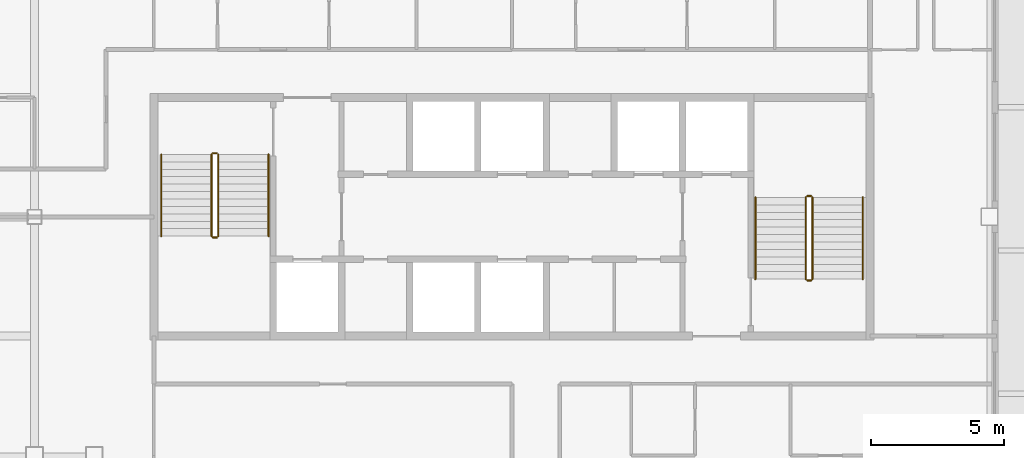
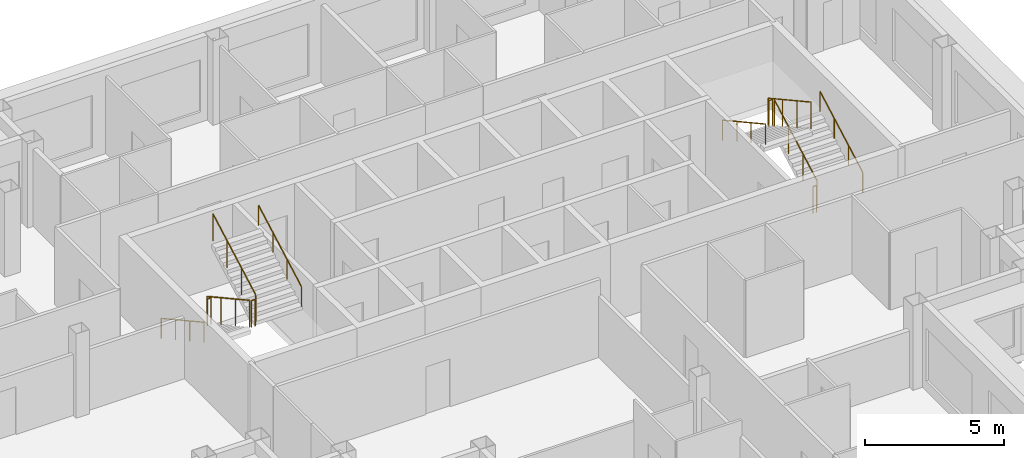
# One storey, part 12 of 12: 12 railings.
"""IFC4 building model written with IfcOpenShell, lengths in metres."""

from ifc_helpers import new_model, si_unit, direction, frame, origin, origin_2d, place, context, subcontext, project, spatial, circle, extrude, material, type_object, element, save


model = new_model("IFC4")

# Units and contexts
model_context = context("Model", 3, precision=1e-05, world=origin(), true_north=direction((0.0, 1.0)))
body_context = subcontext(model_context, "Body", "Model", "MODEL_VIEW")
ifc_project = project(units=[si_unit("LENGTHUNIT", "METRE"), si_unit("AREAUNIT", "SQUARE_METRE"), si_unit("VOLUMEUNIT", "CUBIC_METRE"), si_unit("PLANEANGLEUNIT", "RADIAN"), si_unit("MASSUNIT", "GRAM", prefix="KILO")], contexts=[model_context])

# Site, building, storey
site_placement = place(None, origin())
site = spatial("IfcSite", under=ifc_project, at=site_placement, CompositionType="ELEMENT")
building_placement = place(site_placement, origin())
building = spatial("IfcBuilding", under=site, at=building_placement, Name="Caravel Reach Hotel and Residences", CompositionType="ELEMENT")
storey_placement = place(building_placement, frame((0.0, 0.0, 218.300048828125)))
storey = spatial("IfcBuildingStorey", under=building, at=storey_placement, Name="L55", CompositionType="ELEMENT", Elevation=218.300048828125)

# Railings
ifc_material_1 = material(Name="Steel balustrade with glass infill", Category="steel")
railing_type_1 = type_object("IfcRailingType", Name="Guard 1200", PredefinedType="GUARDRAIL", material=ifc_material_1)
railing_1_placement = place(storey_placement, frame((20.175048828125, 29.35009765625, 0.154052734375)))
element("IfcRailing", 1, at=railing_1_placement, inside=storey, type_object=railing_type_1, Name="L55 ST-A stair guard 1", PredefinedType="GUARDRAIL", context=body_context, shape_type="SweptSolid", body=[
    extrude(circle(Radius=0.02392578125, at=origin_2d()), frame((0.0, 0.0, 1.17578125), z_axis=(0.0, -0.876004717809, 0.482302534076), x_axis=(1.0, 0.0, 0.0)), (0.0, 0.0, 1.0), 3.51611328125),
    extrude(circle(Radius=0.02099609375, at=origin_2d()), origin(), (0.0, 0.0, 1.0), 1.15185546875),
    extrude(circle(Radius=0.02099609375, at=origin_2d()), frame((0.0, -1.026611328125, 0.565185546875)), (0.0, 0.0, 1.0), 1.15185546875),
    extrude(circle(Radius=0.02099609375, at=origin_2d()), frame((0.0, -2.053466796875, 1.130615234375)), (0.0, 0.0, 1.0), 1.15185546875),
    extrude(circle(Radius=0.02099609375, at=origin_2d()), frame((0.0, -3.080078125, 1.69580078125)), (0.0, 0.0, 1.0), 1.15185546875),
])
railing_2_placement = place(storey_placement, frame((20.22509765625, 26.219970703125, 1.849853515625)))
element("IfcRailing", 2, at=railing_2_placement, inside=storey, type_object=railing_type_1, Name="L55 ST-A stair guard 2", PredefinedType="GUARDRAIL", context=body_context, shape_type="SweptSolid", body=[
    extrude(circle(Radius=0.02392578125, at=origin_2d()), frame((0.0, 0.0, 1.17578125), z_axis=(1.0, 0.0, 0.0), x_axis=(0.0, 1.0, 0.0)), (0.0, 0.0, 1.0), 0.14990234375),
    extrude(circle(Radius=0.02099609375, at=origin_2d()), origin(), (0.0, 0.0, 1.0), 1.15185546875),
    extrude(circle(Radius=0.02099609375, at=origin_2d()), frame((0.14990234375, 0.0, 0.0)), (0.0, 0.0, 1.0), 1.15185546875),
])
railing_3_placement = place(storey_placement, frame((20.425048828125, 26.27001953125, 2.004150390625)))
element("IfcRailing", 3, at=railing_3_placement, inside=storey, type_object=railing_type_1, Name="L55 ST-A stair guard 3", PredefinedType="GUARDRAIL", context=body_context, shape_type="SweptSolid", body=[
    extrude(circle(Radius=0.02392578125, at=origin_2d()), frame((0.0, 0.0, 1.17578125), z_axis=(0.0, 0.876004717809, 0.482302534076), x_axis=(-1.0, 0.0, 0.0)), (0.0, 0.0, 1.0), 3.51611328125),
    extrude(circle(Radius=0.02099609375, at=origin_2d()), origin(), (0.0, 0.0, 1.0), 1.15185546875),
    extrude(circle(Radius=0.02099609375, at=origin_2d()), frame((0.0, 1.026611328125, 0.565185546875)), (0.0, 0.0, 1.0), 1.15185546875),
    extrude(circle(Radius=0.02099609375, at=origin_2d()), frame((0.0, 2.053466796875, 1.130615234375)), (0.0, 0.0, 1.0), 1.15185546875),
    extrude(circle(Radius=0.02099609375, at=origin_2d()), frame((0.0, 3.080078125, 1.69580078125)), (0.0, 0.0, 1.0), 1.15185546875),
])
railing_4_placement = place(storey_placement, frame((20.22509765625, 29.39990234375, 0.0)))
element("IfcRailing", 4, at=railing_4_placement, inside=storey, type_object=railing_type_1, Name="L55 ST-A stair guard 4", PredefinedType="GUARDRAIL", context=body_context, shape_type="SweptSolid", body=[
    extrude(circle(Radius=0.02392578125, at=origin_2d()), frame((0.0, 0.0, 1.17578125), z_axis=(1.0, 0.0, 0.0), x_axis=(0.0, 1.0, 0.0)), (0.0, 0.0, 1.0), 0.14990234375),
    extrude(circle(Radius=0.02099609375, at=origin_2d()), origin(), (0.0, 0.0, 1.0), 1.15185546875),
    extrude(circle(Radius=0.02099609375, at=origin_2d()), frame((0.14990234375, 0.0, 0.0)), (0.0, 0.0, 1.0), 1.15185546875),
])
railing_5_placement = place(storey_placement, frame((42.824951171875, 24.64990234375, 0.154052734375)))
element("IfcRailing", 5, at=railing_5_placement, inside=storey, type_object=railing_type_1, Name="L55 ST-B stair guard 1", PredefinedType="GUARDRAIL", context=body_context, shape_type="SweptSolid", body=[
    extrude(circle(Radius=0.02392578125, at=origin_2d()), frame((0.0, 0.0, 1.17578125), z_axis=(0.0, 0.876004717809, 0.482302534076), x_axis=(-1.0, 0.0, 0.0)), (0.0, 0.0, 1.0), 3.51611328125),
    extrude(circle(Radius=0.02099609375, at=origin_2d()), origin(), (0.0, 0.0, 1.0), 1.15185546875),
    extrude(circle(Radius=0.02099609375, at=origin_2d()), frame((0.0, 1.026611328125, 0.565185546875)), (0.0, 0.0, 1.0), 1.15185546875),
    extrude(circle(Radius=0.02099609375, at=origin_2d()), frame((0.0, 2.053466796875, 1.130615234375)), (0.0, 0.0, 1.0), 1.15185546875),
    extrude(circle(Radius=0.02099609375, at=origin_2d()), frame((0.0, 3.080078125, 1.69580078125)), (0.0, 0.0, 1.0), 1.15185546875),
])
railing_6_placement = place(storey_placement, frame((42.77490234375, 27.780029296875, 1.849853515625)))
element("IfcRailing", 6, at=railing_6_placement, inside=storey, type_object=railing_type_1, Name="L55 ST-B stair guard 2", PredefinedType="GUARDRAIL", context=body_context, shape_type="SweptSolid", body=[
    extrude(circle(Radius=0.02392578125, at=origin_2d()), frame((0.0, 0.0, 1.17578125), z_axis=(-1.0, 0.0, 0.0), x_axis=(0.0, -1.0, 0.0)), (0.0, 0.0, 1.0), 0.14990234375),
    extrude(circle(Radius=0.02099609375, at=origin_2d()), origin(), (0.0, 0.0, 1.0), 1.15185546875),
    extrude(circle(Radius=0.02099609375, at=origin_2d()), frame((-0.14990234375, 0.0, 0.0)), (0.0, 0.0, 1.0), 1.15185546875),
])
railing_7_placement = place(storey_placement, frame((42.574951171875, 27.72998046875, 2.004150390625)))
element("IfcRailing", 7, at=railing_7_placement, inside=storey, type_object=railing_type_1, Name="L55 ST-B stair guard 3", PredefinedType="GUARDRAIL", context=body_context, shape_type="SweptSolid", body=[
    extrude(circle(Radius=0.02392578125, at=origin_2d()), frame((0.0, 0.0, 1.17578125), z_axis=(0.0, -0.876004717809, 0.482302534076), x_axis=(1.0, 0.0, 0.0)), (0.0, 0.0, 1.0), 3.51611328125),
    extrude(circle(Radius=0.02099609375, at=origin_2d()), origin(), (0.0, 0.0, 1.0), 1.15185546875),
    extrude(circle(Radius=0.02099609375, at=origin_2d()), frame((0.0, -1.026611328125, 0.565185546875)), (0.0, 0.0, 1.0), 1.15185546875),
    extrude(circle(Radius=0.02099609375, at=origin_2d()), frame((0.0, -2.053466796875, 1.130615234375)), (0.0, 0.0, 1.0), 1.15185546875),
    extrude(circle(Radius=0.02099609375, at=origin_2d()), frame((0.0, -3.080078125, 1.69580078125)), (0.0, 0.0, 1.0), 1.15185546875),
])
railing_8_placement = place(storey_placement, frame((42.77490234375, 24.60009765625, 0.0)))
element("IfcRailing", 8, at=railing_8_placement, inside=storey, type_object=railing_type_1, Name="L55 ST-B stair guard 4", PredefinedType="GUARDRAIL", context=body_context, shape_type="SweptSolid", body=[
    extrude(circle(Radius=0.02392578125, at=origin_2d()), frame((0.0, 0.0, 1.17578125), z_axis=(-1.0, 0.0, 0.0), x_axis=(0.0, -1.0, 0.0)), (0.0, 0.0, 1.0), 0.14990234375),
    extrude(circle(Radius=0.02099609375, at=origin_2d()), origin(), (0.0, 0.0, 1.0), 1.15185546875),
    extrude(circle(Radius=0.02099609375, at=origin_2d()), frame((-0.14990234375, 0.0, 0.0)), (0.0, 0.0, 1.0), 1.15185546875),
])
ifc_material_2 = material(Name="Stainless steel handrail", Category="steel")
railing_type_2 = type_object("IfcRailingType", Name="Handrail 900", PredefinedType="HANDRAIL", material=ifc_material_2)
railing_9_placement = place(storey_placement, frame((18.27490234375, 29.35009765625, 0.154052734375)))
element("IfcRailing", 9, at=railing_9_placement, inside=storey, type_object=railing_type_2, Name="L55 ST-A stair handrail 1", PredefinedType="HANDRAIL", context=body_context, shape_type="SweptSolid", body=[
    extrude(circle(Radius=0.02392578125, at=origin_2d()), frame((0.0, 0.0, 0.8759765625), z_axis=(0.0, -0.876004717809, 0.482302534076), x_axis=(1.0, 0.0, 0.0)), (0.0, 0.0, 1.0), 3.51611328125),
    extrude(circle(Radius=0.02099609375, at=origin_2d()), origin(), (0.0, 0.0, 1.0), 0.851806640625),
    extrude(circle(Radius=0.02099609375, at=origin_2d()), frame((0.0, -1.026611328125, 0.565185546875)), (0.0, 0.0, 1.0), 0.851806640625),
    extrude(circle(Radius=0.02099609375, at=origin_2d()), frame((0.0, -2.053466796875, 1.130615234375)), (0.0, 0.0, 1.0), 0.851806640625),
    extrude(circle(Radius=0.02099609375, at=origin_2d()), frame((0.0, -3.080078125, 1.69580078125)), (0.0, 0.0, 1.0), 0.851806640625),
])
for number, where, name in (
    (10, (22.324951171875, 26.27001953125, 2.004150390625), "L55 ST-A stair handrail 2"),
    (11, (44.72509765625, 24.64990234375, 0.154052734375), "L55 ST-B stair handrail 1"),
):
    element("IfcRailing", number, at=place(storey_placement, frame(where)), inside=storey, type_object=railing_type_2, Name=name, PredefinedType="HANDRAIL", context=body_context, shape_type="SweptSolid", body=[
        extrude(circle(Radius=0.02392578125, at=origin_2d()), frame((0.0, 0.0, 0.8759765625), z_axis=(0.0, 0.876004717809, 0.482302534076), x_axis=(-1.0, 0.0, 0.0)), (0.0, 0.0, 1.0), 3.51611328125),
        extrude(circle(Radius=0.02099609375, at=origin_2d()), origin(), (0.0, 0.0, 1.0), 0.851806640625),
        extrude(circle(Radius=0.02099609375, at=origin_2d()), frame((0.0, 1.026611328125, 0.565185546875)), (0.0, 0.0, 1.0), 0.851806640625),
        extrude(circle(Radius=0.02099609375, at=origin_2d()), frame((0.0, 2.053466796875, 1.130615234375)), (0.0, 0.0, 1.0), 0.851806640625),
        extrude(circle(Radius=0.02099609375, at=origin_2d()), frame((0.0, 3.080078125, 1.69580078125)), (0.0, 0.0, 1.0), 0.851806640625),
    ])
railing_10_placement = place(storey_placement, frame((40.675048828125, 27.72998046875, 2.004150390625)))
element("IfcRailing", 12, at=railing_10_placement, inside=storey, type_object=railing_type_2, Name="L55 ST-B stair handrail 2", PredefinedType="HANDRAIL", context=body_context, shape_type="SweptSolid", body=[
    extrude(circle(Radius=0.02392578125, at=origin_2d()), frame((0.0, 0.0, 0.8759765625), z_axis=(0.0, -0.876004717809, 0.482302534076), x_axis=(1.0, 0.0, 0.0)), (0.0, 0.0, 1.0), 3.51611328125),
    extrude(circle(Radius=0.02099609375, at=origin_2d()), origin(), (0.0, 0.0, 1.0), 0.851806640625),
    extrude(circle(Radius=0.02099609375, at=origin_2d()), frame((0.0, -1.026611328125, 0.565185546875)), (0.0, 0.0, 1.0), 0.851806640625),
    extrude(circle(Radius=0.02099609375, at=origin_2d()), frame((0.0, -2.053466796875, 1.130615234375)), (0.0, 0.0, 1.0), 0.851806640625),
    extrude(circle(Radius=0.02099609375, at=origin_2d()), frame((0.0, -3.080078125, 1.69580078125)), (0.0, 0.0, 1.0), 0.851806640625),
])

save(model, "model.ifc")
